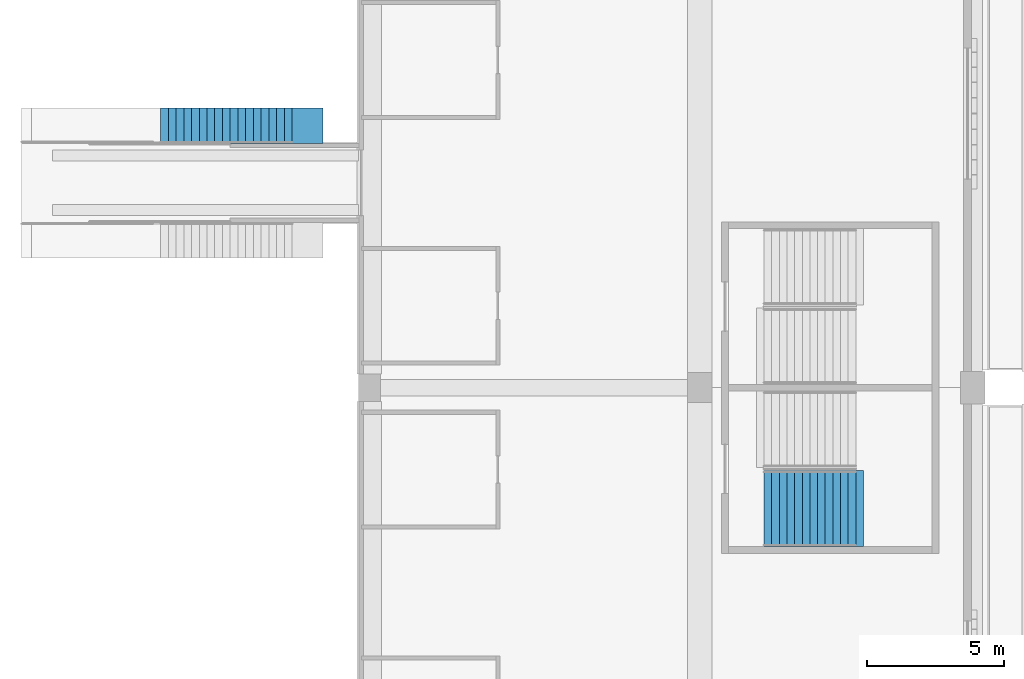
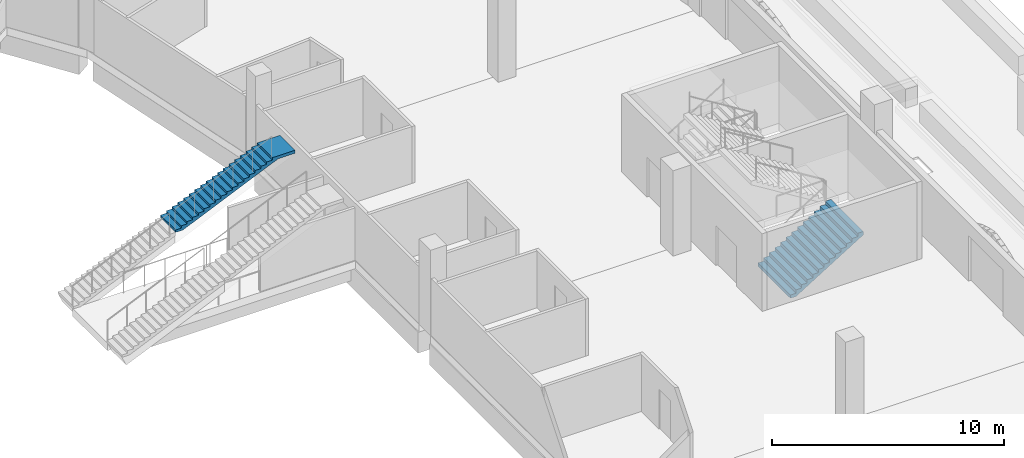
# One storey, part 141 of 175: 2 stair flights, 2 elements without a shape of their own.
"""IFC4 building model written with IfcOpenShell, lengths in metres."""

from ifc_helpers import new_model, si_unit, direction, frame, origin, place, context, subcontext, project, spatial, faceted_brep, material, type_object, element, aggregate, save


model = new_model("IFC4")

# Units and contexts
model_context = context("Model", 3, precision=1e-05, world=origin(), true_north=direction((0.0, 1.0)))
body_context = subcontext(model_context, "Body", "Model", "MODEL_VIEW")
ifc_project = project(units=[si_unit("LENGTHUNIT", "METRE"), si_unit("AREAUNIT", "SQUARE_METRE"), si_unit("VOLUMEUNIT", "CUBIC_METRE"), si_unit("PLANEANGLEUNIT", "RADIAN"), si_unit("MASSUNIT", "GRAM", prefix="KILO")], contexts=[model_context])

# Site, building, storey
site_placement = place(None, origin())
site = spatial("IfcSite", under=ifc_project, at=site_placement, CompositionType="ELEMENT")
building_placement = place(site_placement, origin())
building = spatial("IfcBuilding", under=site, at=building_placement, Name="Ogive Plaza Stadium", CompositionType="ELEMENT")
storey_placement = place(building_placement, origin())
storey = spatial("IfcBuildingStorey", under=building, at=storey_placement, Name="L00", CompositionType="ELEMENT", Elevation=0.0)

# Stair, stair flight
ifc_material_1 = material(Name="Concrete C40/50", Category="concrete")
stair_type_1 = type_object("IfcStairType", Name="Aisle stair", PredefinedType="STRAIGHT_RUN_STAIR", material=ifc_material_1)
stair_1_placement = place(storey_placement, origin())
stair_1 = element("IfcStair", 1, at=stair_1_placement, inside=storey, type_object=stair_type_1, Name="Aisle stair SA01R", PredefinedType="STRAIGHT_RUN_STAIR")
ifc_material_2 = material(Name="Concrete C40/50", Category="concrete")
stair_flight_type_1 = type_object("IfcStairFlightType", Name="Aisle stair flight", PredefinedType="STRAIGHT", material=ifc_material_2)
stair_flight_1_placement = place(storey_placement, frame((54.25, 47.10009765625, 2.25), z_axis=(0.0, 0.0, 1.0), x_axis=(1.0, 0.0, 0.0)))
stair_flight_1 = element("IfcStairFlight", 2, at=stair_flight_1_placement, type_object=stair_flight_type_1, Name="SA01R flight 2", NumberOfRisers=18, NumberOfTreads=17, PredefinedType="STRAIGHT", RiserHeight=0.125, TreadLength=0.283333333, context=body_context, shape_type="Brep", body=[
    faceted_brep([(0.371337890625, -0.64990234375, 0.0), (5.10009765625, -0.64990234375, 2.086181640625), (5.949951171875, -0.64990234375, 2.086181640625), (5.949951171875, -0.64990234375, 2.25), (4.816650390625, -0.64990234375, 2.25), (4.816650390625, -0.64990234375, 2.125), (4.533447265625, -0.64990234375, 2.125), (4.533447265625, -0.64990234375, 2.0), (4.25, -0.64990234375, 2.0), (4.25, -0.64990234375, 1.875), (3.966552734375, -0.64990234375, 1.875), (3.966552734375, -0.64990234375, 1.75), (3.683349609375, -0.64990234375, 1.75), (3.683349609375, -0.64990234375, 1.625), (3.39990234375, -0.64990234375, 1.625), (3.39990234375, -0.64990234375, 1.5), (3.11669921875, -0.64990234375, 1.5), (3.11669921875, -0.64990234375, 1.375), (2.833251953125, -0.64990234375, 1.375), (2.833251953125, -0.64990234375, 1.25), (2.550048828125, -0.64990234375, 1.25), (2.550048828125, -0.64990234375, 1.125), (2.2666015625, -0.64990234375, 1.125), (2.2666015625, -0.64990234375, 1.0), (1.9833984375, -0.64990234375, 1.0), (1.9833984375, -0.64990234375, 0.875), (1.699951171875, -0.64990234375, 0.875), (1.699951171875, -0.64990234375, 0.75), (1.416748046875, -0.64990234375, 0.75), (1.416748046875, -0.64990234375, 0.625), (1.13330078125, -0.64990234375, 0.625), (1.13330078125, -0.64990234375, 0.5), (0.85009765625, -0.64990234375, 0.5), (0.85009765625, -0.64990234375, 0.375), (0.566650390625, -0.64990234375, 0.375), (0.566650390625, -0.64990234375, 0.25), (0.283447265625, -0.64990234375, 0.25), (0.283447265625, -0.64990234375, 0.125), (0.0, -0.64990234375, 0.125), (0.0, -0.64990234375, 0.0), (0.0, 0.64990234375, 0.0), (0.0, 0.64990234375, 0.125), (0.283447265625, 0.64990234375, 0.125), (0.283447265625, 0.64990234375, 0.25), (0.566650390625, 0.64990234375, 0.25), (0.566650390625, 0.64990234375, 0.375), (0.85009765625, 0.64990234375, 0.375), (0.85009765625, 0.64990234375, 0.5), (1.13330078125, 0.64990234375, 0.5), (1.13330078125, 0.64990234375, 0.625), (1.416748046875, 0.64990234375, 0.625), (1.416748046875, 0.64990234375, 0.75), (1.699951171875, 0.64990234375, 0.75), (1.699951171875, 0.64990234375, 0.875), (1.9833984375, 0.64990234375, 0.875), (1.9833984375, 0.64990234375, 1.0), (2.2666015625, 0.64990234375, 1.0), (2.2666015625, 0.64990234375, 1.125), (2.550048828125, 0.64990234375, 1.125), (2.550048828125, 0.64990234375, 1.25), (2.833251953125, 0.64990234375, 1.25), (2.833251953125, 0.64990234375, 1.375), (3.11669921875, 0.64990234375, 1.375), (3.11669921875, 0.64990234375, 1.5), (3.39990234375, 0.64990234375, 1.5), (3.39990234375, 0.64990234375, 1.625), (3.683349609375, 0.64990234375, 1.625), (3.683349609375, 0.64990234375, 1.75), (3.966552734375, 0.64990234375, 1.75), (3.966552734375, 0.64990234375, 1.875), (4.25, 0.64990234375, 1.875), (4.25, 0.64990234375, 2.0), (4.533447265625, 0.64990234375, 2.0), (4.533447265625, 0.64990234375, 2.125), (4.816650390625, 0.64990234375, 2.125), (4.816650390625, 0.64990234375, 2.25), (5.949951171875, 0.64990234375, 2.25), (5.949951171875, 0.64990234375, 2.086181640625), (5.10009765625, 0.64990234375, 2.086181640625), (0.371337890625, 0.64990234375, 0.0), (0.371337890625, -0.324951171875, 0.0), (5.10009765625, -0.324951171875, 2.086181640625), (0.371337890625, 0.0, 0.0), (5.10009765625, 0.0, 2.086181640625), (0.371337890625, 0.324951171875, 0.0), (5.10009765625, 0.324951171875, 2.086181640625), (5.949951171875, -0.324951171875, 2.086181640625), (5.949951171875, 0.0, 2.086181640625), (5.949951171875, 0.324951171875, 2.086181640625), (5.949951171875, -0.324951171875, 2.25), (5.949951171875, 0.0, 2.25), (5.949951171875, 0.324951171875, 2.25), (4.816650390625, -0.324951171875, 2.25), (4.816650390625, 0.0, 2.25), (4.816650390625, 0.324951171875, 2.25), (4.816650390625, -0.324951171875, 2.125), (4.816650390625, 0.0, 2.125), (4.816650390625, 0.324951171875, 2.125), (4.533447265625, -0.324951171875, 2.125), (4.533447265625, 0.0, 2.125), (4.533447265625, 0.324951171875, 2.125), (4.533447265625, -0.324951171875, 2.0), (4.533447265625, 0.0, 2.0), (4.533447265625, 0.324951171875, 2.0), (4.25, -0.324951171875, 2.0), (4.25, 0.0, 2.0), (4.25, 0.324951171875, 2.0), (4.25, -0.324951171875, 1.875), (4.25, 0.0, 1.875), (4.25, 0.324951171875, 1.875), (3.966552734375, -0.324951171875, 1.875), (3.966552734375, 0.0, 1.875), (3.966552734375, 0.324951171875, 1.875), (3.966552734375, -0.324951171875, 1.75), (3.966552734375, 0.0, 1.75), (3.966552734375, 0.324951171875, 1.75), (3.683349609375, -0.324951171875, 1.75), (3.683349609375, 0.0, 1.75), (3.683349609375, 0.324951171875, 1.75), (3.683349609375, -0.324951171875, 1.625), (3.683349609375, 0.0, 1.625), (3.683349609375, 0.324951171875, 1.625), (3.39990234375, -0.324951171875, 1.625), (3.39990234375, 0.0, 1.625), (3.39990234375, 0.324951171875, 1.625), (3.39990234375, -0.324951171875, 1.5), (3.39990234375, 0.0, 1.5), (3.39990234375, 0.324951171875, 1.5), (3.11669921875, -0.324951171875, 1.5), (3.11669921875, 0.0, 1.5), (3.11669921875, 0.324951171875, 1.5), (3.11669921875, -0.324951171875, 1.375), (3.11669921875, 0.0, 1.375), (3.11669921875, 0.324951171875, 1.375), (2.833251953125, -0.324951171875, 1.375), (2.833251953125, 0.0, 1.375), (2.833251953125, 0.324951171875, 1.375), (2.833251953125, -0.324951171875, 1.25), (2.833251953125, 0.0, 1.25), (2.833251953125, 0.324951171875, 1.25), (2.550048828125, -0.324951171875, 1.25), (2.550048828125, 0.0, 1.25), (2.550048828125, 0.324951171875, 1.25), (2.550048828125, -0.324951171875, 1.125), (2.550048828125, 0.0, 1.125), (2.550048828125, 0.324951171875, 1.125), (2.2666015625, -0.324951171875, 1.125), (2.2666015625, 0.0, 1.125), (2.2666015625, 0.324951171875, 1.125), (2.2666015625, -0.324951171875, 1.0), (2.2666015625, 0.0, 1.0), (2.2666015625, 0.324951171875, 1.0), (1.9833984375, -0.324951171875, 1.0), (1.9833984375, 0.0, 1.0), (1.9833984375, 0.324951171875, 1.0), (1.9833984375, -0.324951171875, 0.875), (1.9833984375, 0.0, 0.875), (1.9833984375, 0.324951171875, 0.875), (1.699951171875, -0.324951171875, 0.875), (1.699951171875, 0.0, 0.875), (1.699951171875, 0.324951171875, 0.875), (1.699951171875, -0.324951171875, 0.75), (1.699951171875, 0.0, 0.75), (1.699951171875, 0.324951171875, 0.75), (1.416748046875, -0.324951171875, 0.75), (1.416748046875, 0.0, 0.75), (1.416748046875, 0.324951171875, 0.75), (1.416748046875, -0.324951171875, 0.625), (1.416748046875, 0.0, 0.625), (1.416748046875, 0.324951171875, 0.625), (1.13330078125, -0.324951171875, 0.625), (1.13330078125, 0.0, 0.625), (1.13330078125, 0.324951171875, 0.625), (1.13330078125, -0.324951171875, 0.5), (1.13330078125, 0.0, 0.5), (1.13330078125, 0.324951171875, 0.5), (0.85009765625, -0.324951171875, 0.5), (0.85009765625, 0.0, 0.5), (0.85009765625, 0.324951171875, 0.5), (0.85009765625, -0.324951171875, 0.375), (0.85009765625, 0.0, 0.375), (0.85009765625, 0.324951171875, 0.375), (0.566650390625, -0.324951171875, 0.375), (0.566650390625, 0.0, 0.375), (0.566650390625, 0.324951171875, 0.375), (0.566650390625, -0.324951171875, 0.25), (0.566650390625, 0.0, 0.25), (0.566650390625, 0.324951171875, 0.25), (0.283447265625, -0.324951171875, 0.25), (0.283447265625, 0.0, 0.25), (0.283447265625, 0.324951171875, 0.25), (0.283447265625, -0.324951171875, 0.125), (0.283447265625, 0.0, 0.125), (0.283447265625, 0.324951171875, 0.125), (0.0, -0.324951171875, 0.125), (0.0, 0.0, 0.125), (0.0, 0.324951171875, 0.125), (0.0, -0.324951171875, 0.0), (0.0, 0.0, 0.0), (0.0, 0.324951171875, 0.0)], [[[0, 1, 2, 3, 4, 5, 6, 7, 8, 9, 10, 11, 12, 13, 14, 15, 16, 17, 18, 19, 20, 21, 22, 23, 24, 25, 26, 27, 28, 29, 30, 31, 32, 33, 34, 35, 36, 37, 38, 39]], [[40, 41, 42, 43, 44, 45, 46, 47, 48, 49, 50, 51, 52, 53, 54, 55, 56, 57, 58, 59, 60, 61, 62, 63, 64, 65, 66, 67, 68, 69, 70, 71, 72, 73, 74, 75, 76, 77, 78, 79]], [[0, 80, 81, 1]], [[80, 82, 83, 81]], [[82, 84, 85, 83]], [[84, 79, 78, 85]], [[1, 81, 86, 2]], [[81, 83, 87, 86]], [[83, 85, 88, 87]], [[85, 78, 77, 88]], [[2, 86, 89, 3]], [[86, 87, 90, 89]], [[87, 88, 91, 90]], [[88, 77, 76, 91]], [[3, 89, 92, 4]], [[89, 90, 93, 92]], [[90, 91, 94, 93]], [[91, 76, 75, 94]], [[4, 92, 95, 5]], [[92, 93, 96, 95]], [[93, 94, 97, 96]], [[94, 75, 74, 97]], [[5, 95, 98, 6]], [[95, 96, 99, 98]], [[96, 97, 100, 99]], [[97, 74, 73, 100]], [[6, 98, 101, 7]], [[98, 99, 102, 101]], [[99, 100, 103, 102]], [[100, 73, 72, 103]], [[7, 101, 104, 8]], [[101, 102, 105, 104]], [[102, 103, 106, 105]], [[103, 72, 71, 106]], [[8, 104, 107, 9]], [[104, 105, 108, 107]], [[105, 106, 109, 108]], [[106, 71, 70, 109]], [[9, 107, 110, 10]], [[107, 108, 111, 110]], [[108, 109, 112, 111]], [[109, 70, 69, 112]], [[10, 110, 113, 11]], [[110, 111, 114, 113]], [[111, 112, 115, 114]], [[112, 69, 68, 115]], [[11, 113, 116, 12]], [[113, 114, 117, 116]], [[114, 115, 118, 117]], [[115, 68, 67, 118]], [[12, 116, 119, 13]], [[116, 117, 120, 119]], [[117, 118, 121, 120]], [[118, 67, 66, 121]], [[13, 119, 122, 14]], [[119, 120, 123, 122]], [[120, 121, 124, 123]], [[121, 66, 65, 124]], [[14, 122, 125, 15]], [[122, 123, 126, 125]], [[123, 124, 127, 126]], [[124, 65, 64, 127]], [[15, 125, 128, 16]], [[125, 126, 129, 128]], [[126, 127, 130, 129]], [[127, 64, 63, 130]], [[16, 128, 131, 17]], [[128, 129, 132, 131]], [[129, 130, 133, 132]], [[130, 63, 62, 133]], [[17, 131, 134, 18]], [[131, 132, 135, 134]], [[132, 133, 136, 135]], [[133, 62, 61, 136]], [[18, 134, 137, 19]], [[134, 135, 138, 137]], [[135, 136, 139, 138]], [[136, 61, 60, 139]], [[19, 137, 140, 20]], [[137, 138, 141, 140]], [[138, 139, 142, 141]], [[139, 60, 59, 142]], [[20, 140, 143, 21]], [[140, 141, 144, 143]], [[141, 142, 145, 144]], [[142, 59, 58, 145]], [[21, 143, 146, 22]], [[143, 144, 147, 146]], [[144, 145, 148, 147]], [[145, 58, 57, 148]], [[22, 146, 149, 23]], [[146, 147, 150, 149]], [[147, 148, 151, 150]], [[148, 57, 56, 151]], [[23, 149, 152, 24]], [[149, 150, 153, 152]], [[150, 151, 154, 153]], [[151, 56, 55, 154]], [[24, 152, 155, 25]], [[152, 153, 156, 155]], [[153, 154, 157, 156]], [[154, 55, 54, 157]], [[25, 155, 158, 26]], [[155, 156, 159, 158]], [[156, 157, 160, 159]], [[157, 54, 53, 160]], [[26, 158, 161, 27]], [[158, 159, 162, 161]], [[159, 160, 163, 162]], [[160, 53, 52, 163]], [[27, 161, 164, 28]], [[161, 162, 165, 164]], [[162, 163, 166, 165]], [[163, 52, 51, 166]], [[28, 164, 167, 29]], [[164, 165, 168, 167]], [[165, 166, 169, 168]], [[166, 51, 50, 169]], [[29, 167, 170, 30]], [[167, 168, 171, 170]], [[168, 169, 172, 171]], [[169, 50, 49, 172]], [[30, 170, 173, 31]], [[170, 171, 174, 173]], [[171, 172, 175, 174]], [[172, 49, 48, 175]], [[31, 173, 176, 32]], [[173, 174, 177, 176]], [[174, 175, 178, 177]], [[175, 48, 47, 178]], [[32, 176, 179, 33]], [[176, 177, 180, 179]], [[177, 178, 181, 180]], [[178, 47, 46, 181]], [[33, 179, 182, 34]], [[179, 180, 183, 182]], [[180, 181, 184, 183]], [[181, 46, 45, 184]], [[34, 182, 185, 35]], [[182, 183, 186, 185]], [[183, 184, 187, 186]], [[184, 45, 44, 187]], [[35, 185, 188, 36]], [[185, 186, 189, 188]], [[186, 187, 190, 189]], [[187, 44, 43, 190]], [[36, 188, 191, 37]], [[188, 189, 192, 191]], [[189, 190, 193, 192]], [[190, 43, 42, 193]], [[37, 191, 194, 38]], [[191, 192, 195, 194]], [[192, 193, 196, 195]], [[193, 42, 41, 196]], [[38, 194, 197, 39]], [[194, 195, 198, 197]], [[195, 196, 199, 198]], [[196, 41, 40, 199]], [[39, 197, 80, 0]], [[197, 198, 82, 80]], [[198, 199, 84, 82]], [[199, 40, 79, 84]]]),
])
aggregate(stair_1, [stair_flight_1])

ifc_material_3 = material(Name="Concrete C40/50", Category="concrete")
stair_type_2 = type_object("IfcStairType", Name="Exit stair", PredefinedType="STRAIGHT_RUN_STAIR", material=ifc_material_3)
stair_2_placement = place(storey_placement, origin())
stair_2 = element("IfcStair", 3, at=stair_2_placement, inside=storey, type_object=stair_type_2, Name="Exit stair ST02A L00 to L01", PredefinedType="STRAIGHT_RUN_STAIR")
ifc_material_4 = material(Name="Concrete C40/50", Category="concrete")
stair_flight_type_2 = type_object("IfcStairFlightType", Name="Exit stair flight", PredefinedType="STRAIGHT", material=ifc_material_4)
stair_flight_2_placement = place(storey_placement, frame((76.35009765625, 33.074951171875, 0.0), z_axis=(0.0, 0.0, 1.0), x_axis=(1.0, 0.0, 0.0)))
stair_flight_2 = element("IfcStairFlight", 4, at=stair_flight_2_placement, type_object=stair_flight_type_2, Name="ST02A flight 1", NumberOfRisers=13, NumberOfTreads=12, PredefinedType="STRAIGHT", RiserHeight=0.173076923, TreadLength=0.28, context=body_context, shape_type="Brep", body=[
    faceted_brep([(0.28515625, -1.39990234375, 0.0), (3.639892578125, -1.39990234375, 2.07373046875), (3.639892578125, -1.39990234375, 2.25), (3.360107421875, -1.39990234375, 2.25), (3.360107421875, -1.39990234375, 2.076904296875), (3.080078125, -1.39990234375, 2.076904296875), (3.080078125, -1.39990234375, 1.90380859375), (2.800048828125, -1.39990234375, 1.90380859375), (2.800048828125, -1.39990234375, 1.730712890625), (2.52001953125, -1.39990234375, 1.730712890625), (2.52001953125, -1.39990234375, 1.5576171875), (2.239990234375, -1.39990234375, 1.5576171875), (2.239990234375, -1.39990234375, 1.384521484375), (1.9599609375, -1.39990234375, 1.384521484375), (1.9599609375, -1.39990234375, 1.21142578125), (1.679931640625, -1.39990234375, 1.21142578125), (1.679931640625, -1.39990234375, 1.03857421875), (1.39990234375, -1.39990234375, 1.03857421875), (1.39990234375, -1.39990234375, 0.865478515625), (1.1201171875, -1.39990234375, 0.865478515625), (1.1201171875, -1.39990234375, 0.6923828125), (0.840087890625, -1.39990234375, 0.6923828125), (0.840087890625, -1.39990234375, 0.519287109375), (0.56005859375, -1.39990234375, 0.519287109375), (0.56005859375, -1.39990234375, 0.34619140625), (0.280029296875, -1.39990234375, 0.34619140625), (0.280029296875, -1.39990234375, 0.173095703125), (0.0, -1.39990234375, 0.173095703125), (0.0, -1.39990234375, 0.0), (0.0, 1.39990234375, 0.0), (0.0, 1.39990234375, 0.173095703125), (0.280029296875, 1.39990234375, 0.173095703125), (0.280029296875, 1.39990234375, 0.34619140625), (0.56005859375, 1.39990234375, 0.34619140625), (0.56005859375, 1.39990234375, 0.519287109375), (0.840087890625, 1.39990234375, 0.519287109375), (0.840087890625, 1.39990234375, 0.6923828125), (1.1201171875, 1.39990234375, 0.6923828125), (1.1201171875, 1.39990234375, 0.865478515625), (1.39990234375, 1.39990234375, 0.865478515625), (1.39990234375, 1.39990234375, 1.03857421875), (1.679931640625, 1.39990234375, 1.03857421875), (1.679931640625, 1.39990234375, 1.21142578125), (1.9599609375, 1.39990234375, 1.21142578125), (1.9599609375, 1.39990234375, 1.384521484375), (2.239990234375, 1.39990234375, 1.384521484375), (2.239990234375, 1.39990234375, 1.5576171875), (2.52001953125, 1.39990234375, 1.5576171875), (2.52001953125, 1.39990234375, 1.730712890625), (2.800048828125, 1.39990234375, 1.730712890625), (2.800048828125, 1.39990234375, 1.90380859375), (3.080078125, 1.39990234375, 1.90380859375), (3.080078125, 1.39990234375, 2.076904296875), (3.360107421875, 1.39990234375, 2.076904296875), (3.360107421875, 1.39990234375, 2.25), (3.639892578125, 1.39990234375, 2.25), (3.639892578125, 1.39990234375, 2.07373046875), (0.28515625, 1.39990234375, 0.0), (0.28515625, -1.0888671875, 0.0), (3.639892578125, -1.0888671875, 2.07373046875), (0.28515625, -0.77783203125, 0.0), (3.639892578125, -0.77783203125, 2.07373046875), (0.28515625, -0.466796875, 0.0), (3.639892578125, -0.466796875, 2.07373046875), (0.28515625, -0.155517578125, 0.0), (3.639892578125, -0.155517578125, 2.07373046875), (0.28515625, 0.155517578125, 0.0), (3.639892578125, 0.155517578125, 2.07373046875), (0.28515625, 0.466796875, 0.0), (3.639892578125, 0.466796875, 2.07373046875), (0.28515625, 0.77783203125, 0.0), (3.639892578125, 0.77783203125, 2.07373046875), (0.28515625, 1.0888671875, 0.0), (3.639892578125, 1.0888671875, 2.07373046875), (3.639892578125, -1.0888671875, 2.25), (3.639892578125, -0.77783203125, 2.25), (3.639892578125, -0.466796875, 2.25), (3.639892578125, -0.155517578125, 2.25), (3.639892578125, 0.155517578125, 2.25), (3.639892578125, 0.466796875, 2.25), (3.639892578125, 0.77783203125, 2.25), (3.639892578125, 1.0888671875, 2.25), (3.360107421875, -1.0888671875, 2.25), (3.360107421875, -0.77783203125, 2.25), (3.360107421875, -0.466796875, 2.25), (3.360107421875, -0.155517578125, 2.25), (3.360107421875, 0.155517578125, 2.25), (3.360107421875, 0.466796875, 2.25), (3.360107421875, 0.77783203125, 2.25), (3.360107421875, 1.0888671875, 2.25), (3.360107421875, -1.0888671875, 2.076904296875), (3.360107421875, -0.77783203125, 2.076904296875), (3.360107421875, -0.466796875, 2.076904296875), (3.360107421875, -0.155517578125, 2.076904296875), (3.360107421875, 0.155517578125, 2.076904296875), (3.360107421875, 0.466796875, 2.076904296875), (3.360107421875, 0.77783203125, 2.076904296875), (3.360107421875, 1.0888671875, 2.076904296875), (3.080078125, -1.0888671875, 2.076904296875), (3.080078125, -0.77783203125, 2.076904296875), (3.080078125, -0.466796875, 2.076904296875), (3.080078125, -0.155517578125, 2.076904296875), (3.080078125, 0.155517578125, 2.076904296875), (3.080078125, 0.466796875, 2.076904296875), (3.080078125, 0.77783203125, 2.076904296875), (3.080078125, 1.0888671875, 2.076904296875), (3.080078125, -1.0888671875, 1.90380859375), (3.080078125, -0.77783203125, 1.90380859375), (3.080078125, -0.466796875, 1.90380859375), (3.080078125, -0.155517578125, 1.90380859375), (3.080078125, 0.155517578125, 1.90380859375), (3.080078125, 0.466796875, 1.90380859375), (3.080078125, 0.77783203125, 1.90380859375), (3.080078125, 1.0888671875, 1.90380859375), (2.800048828125, -1.0888671875, 1.90380859375), (2.800048828125, -0.77783203125, 1.90380859375), (2.800048828125, -0.466796875, 1.90380859375), (2.800048828125, -0.155517578125, 1.90380859375), (2.800048828125, 0.155517578125, 1.90380859375), (2.800048828125, 0.466796875, 1.90380859375), (2.800048828125, 0.77783203125, 1.90380859375), (2.800048828125, 1.0888671875, 1.90380859375), (2.800048828125, -1.0888671875, 1.730712890625), (2.800048828125, -0.77783203125, 1.730712890625), (2.800048828125, -0.466796875, 1.730712890625), (2.800048828125, -0.155517578125, 1.730712890625), (2.800048828125, 0.155517578125, 1.730712890625), (2.800048828125, 0.466796875, 1.730712890625), (2.800048828125, 0.77783203125, 1.730712890625), (2.800048828125, 1.0888671875, 1.730712890625), (2.52001953125, -1.0888671875, 1.730712890625), (2.52001953125, -0.77783203125, 1.730712890625), (2.52001953125, -0.466796875, 1.730712890625), (2.52001953125, -0.155517578125, 1.730712890625), (2.52001953125, 0.155517578125, 1.730712890625), (2.52001953125, 0.466796875, 1.730712890625), (2.52001953125, 0.77783203125, 1.730712890625), (2.52001953125, 1.0888671875, 1.730712890625), (2.52001953125, -1.0888671875, 1.5576171875), (2.52001953125, -0.77783203125, 1.5576171875), (2.52001953125, -0.466796875, 1.5576171875), (2.52001953125, -0.155517578125, 1.5576171875), (2.52001953125, 0.155517578125, 1.5576171875), (2.52001953125, 0.466796875, 1.5576171875), (2.52001953125, 0.77783203125, 1.5576171875), (2.52001953125, 1.0888671875, 1.5576171875), (2.239990234375, -1.0888671875, 1.5576171875), (2.239990234375, -0.77783203125, 1.5576171875), (2.239990234375, -0.466796875, 1.5576171875), (2.239990234375, -0.155517578125, 1.5576171875), (2.239990234375, 0.155517578125, 1.5576171875), (2.239990234375, 0.466796875, 1.5576171875), (2.239990234375, 0.77783203125, 1.5576171875), (2.239990234375, 1.0888671875, 1.5576171875), (2.239990234375, -1.0888671875, 1.384521484375), (2.239990234375, -0.77783203125, 1.384521484375), (2.239990234375, -0.466796875, 1.384521484375), (2.239990234375, -0.155517578125, 1.384521484375), (2.239990234375, 0.155517578125, 1.384521484375), (2.239990234375, 0.466796875, 1.384521484375), (2.239990234375, 0.77783203125, 1.384521484375), (2.239990234375, 1.0888671875, 1.384521484375), (1.9599609375, -1.0888671875, 1.384521484375), (1.9599609375, -0.77783203125, 1.384521484375), (1.9599609375, -0.466796875, 1.384521484375), (1.9599609375, -0.155517578125, 1.384521484375), (1.9599609375, 0.155517578125, 1.384521484375), (1.9599609375, 0.466796875, 1.384521484375), (1.9599609375, 0.77783203125, 1.384521484375), (1.9599609375, 1.0888671875, 1.384521484375), (1.9599609375, -1.0888671875, 1.21142578125), (1.9599609375, -0.77783203125, 1.21142578125), (1.9599609375, -0.466796875, 1.21142578125), (1.9599609375, -0.155517578125, 1.21142578125), (1.9599609375, 0.155517578125, 1.21142578125), (1.9599609375, 0.466796875, 1.21142578125), (1.9599609375, 0.77783203125, 1.21142578125), (1.9599609375, 1.0888671875, 1.21142578125), (1.679931640625, -1.0888671875, 1.21142578125), (1.679931640625, -0.77783203125, 1.21142578125), (1.679931640625, -0.466796875, 1.21142578125), (1.679931640625, -0.155517578125, 1.21142578125), (1.679931640625, 0.155517578125, 1.21142578125), (1.679931640625, 0.466796875, 1.21142578125), (1.679931640625, 0.77783203125, 1.21142578125), (1.679931640625, 1.0888671875, 1.21142578125), (1.679931640625, -1.0888671875, 1.03857421875), (1.679931640625, -0.77783203125, 1.03857421875), (1.679931640625, -0.466796875, 1.03857421875), (1.679931640625, -0.155517578125, 1.03857421875), (1.679931640625, 0.155517578125, 1.03857421875), (1.679931640625, 0.466796875, 1.03857421875), (1.679931640625, 0.77783203125, 1.03857421875), (1.679931640625, 1.0888671875, 1.03857421875), (1.39990234375, -1.0888671875, 1.03857421875), (1.39990234375, -0.77783203125, 1.03857421875), (1.39990234375, -0.466796875, 1.03857421875), (1.39990234375, -0.155517578125, 1.03857421875), (1.39990234375, 0.155517578125, 1.03857421875), (1.39990234375, 0.466796875, 1.03857421875), (1.39990234375, 0.77783203125, 1.03857421875), (1.39990234375, 1.0888671875, 1.03857421875), (1.39990234375, -1.0888671875, 0.865478515625), (1.39990234375, -0.77783203125, 0.865478515625), (1.39990234375, -0.466796875, 0.865478515625), (1.39990234375, -0.155517578125, 0.865478515625), (1.39990234375, 0.155517578125, 0.865478515625), (1.39990234375, 0.466796875, 0.865478515625), (1.39990234375, 0.77783203125, 0.865478515625), (1.39990234375, 1.0888671875, 0.865478515625), (1.1201171875, -1.0888671875, 0.865478515625), (1.1201171875, -0.77783203125, 0.865478515625), (1.1201171875, -0.466796875, 0.865478515625), (1.1201171875, -0.155517578125, 0.865478515625), (1.1201171875, 0.155517578125, 0.865478515625), (1.1201171875, 0.466796875, 0.865478515625), (1.1201171875, 0.77783203125, 0.865478515625), (1.1201171875, 1.0888671875, 0.865478515625), (1.1201171875, -1.0888671875, 0.6923828125), (1.1201171875, -0.77783203125, 0.6923828125), (1.1201171875, -0.466796875, 0.6923828125), (1.1201171875, -0.155517578125, 0.6923828125), (1.1201171875, 0.155517578125, 0.6923828125), (1.1201171875, 0.466796875, 0.6923828125), (1.1201171875, 0.77783203125, 0.6923828125), (1.1201171875, 1.0888671875, 0.6923828125), (0.840087890625, -1.0888671875, 0.6923828125), (0.840087890625, -0.77783203125, 0.6923828125), (0.840087890625, -0.466796875, 0.6923828125), (0.840087890625, -0.155517578125, 0.6923828125), (0.840087890625, 0.155517578125, 0.6923828125), (0.840087890625, 0.466796875, 0.6923828125), (0.840087890625, 0.77783203125, 0.6923828125), (0.840087890625, 1.0888671875, 0.6923828125), (0.840087890625, -1.0888671875, 0.519287109375), (0.840087890625, -0.77783203125, 0.519287109375), (0.840087890625, -0.466796875, 0.519287109375), (0.840087890625, -0.155517578125, 0.519287109375), (0.840087890625, 0.155517578125, 0.519287109375), (0.840087890625, 0.466796875, 0.519287109375), (0.840087890625, 0.77783203125, 0.519287109375), (0.840087890625, 1.0888671875, 0.519287109375), (0.56005859375, -1.0888671875, 0.519287109375), (0.56005859375, -0.77783203125, 0.519287109375), (0.56005859375, -0.466796875, 0.519287109375), (0.56005859375, -0.155517578125, 0.519287109375), (0.56005859375, 0.155517578125, 0.519287109375), (0.56005859375, 0.466796875, 0.519287109375), (0.56005859375, 0.77783203125, 0.519287109375), (0.56005859375, 1.0888671875, 0.519287109375), (0.56005859375, -1.0888671875, 0.34619140625), (0.56005859375, -0.77783203125, 0.34619140625), (0.56005859375, -0.466796875, 0.34619140625), (0.56005859375, -0.155517578125, 0.34619140625), (0.56005859375, 0.155517578125, 0.34619140625), (0.56005859375, 0.466796875, 0.34619140625), (0.56005859375, 0.77783203125, 0.34619140625), (0.56005859375, 1.0888671875, 0.34619140625), (0.280029296875, -1.0888671875, 0.34619140625), (0.280029296875, -0.77783203125, 0.34619140625), (0.280029296875, -0.466796875, 0.34619140625), (0.280029296875, -0.155517578125, 0.34619140625), (0.280029296875, 0.155517578125, 0.34619140625), (0.280029296875, 0.466796875, 0.34619140625), (0.280029296875, 0.77783203125, 0.34619140625), (0.280029296875, 1.0888671875, 0.34619140625), (0.280029296875, -1.0888671875, 0.173095703125), (0.280029296875, -0.77783203125, 0.173095703125), (0.280029296875, -0.466796875, 0.173095703125), (0.280029296875, -0.155517578125, 0.173095703125), (0.280029296875, 0.155517578125, 0.173095703125), (0.280029296875, 0.466796875, 0.173095703125), (0.280029296875, 0.77783203125, 0.173095703125), (0.280029296875, 1.0888671875, 0.173095703125), (0.0, -1.0888671875, 0.173095703125), (0.0, -0.77783203125, 0.173095703125), (0.0, -0.466796875, 0.173095703125), (0.0, -0.155517578125, 0.173095703125), (0.0, 0.155517578125, 0.173095703125), (0.0, 0.466796875, 0.173095703125), (0.0, 0.77783203125, 0.173095703125), (0.0, 1.0888671875, 0.173095703125), (0.0, -1.0888671875, 0.0), (0.0, -0.77783203125, 0.0), (0.0, -0.466796875, 0.0), (0.0, -0.155517578125, 0.0), (0.0, 0.155517578125, 0.0), (0.0, 0.466796875, 0.0), (0.0, 0.77783203125, 0.0), (0.0, 1.0888671875, 0.0)], [[[0, 1, 2, 3, 4, 5, 6, 7, 8, 9, 10, 11, 12, 13, 14, 15, 16, 17, 18, 19, 20, 21, 22, 23, 24, 25, 26, 27, 28]], [[29, 30, 31, 32, 33, 34, 35, 36, 37, 38, 39, 40, 41, 42, 43, 44, 45, 46, 47, 48, 49, 50, 51, 52, 53, 54, 55, 56, 57]], [[0, 58, 59, 1]], [[58, 60, 61, 59]], [[60, 62, 63, 61]], [[62, 64, 65, 63]], [[64, 66, 67, 65]], [[66, 68, 69, 67]], [[68, 70, 71, 69]], [[70, 72, 73, 71]], [[72, 57, 56, 73]], [[1, 59, 74, 2]], [[59, 61, 75, 74]], [[61, 63, 76, 75]], [[63, 65, 77, 76]], [[65, 67, 78, 77]], [[67, 69, 79, 78]], [[69, 71, 80, 79]], [[71, 73, 81, 80]], [[73, 56, 55, 81]], [[2, 74, 82, 3]], [[74, 75, 83, 82]], [[75, 76, 84, 83]], [[76, 77, 85, 84]], [[77, 78, 86, 85]], [[78, 79, 87, 86]], [[79, 80, 88, 87]], [[80, 81, 89, 88]], [[81, 55, 54, 89]], [[3, 82, 90, 4]], [[82, 83, 91, 90]], [[83, 84, 92, 91]], [[84, 85, 93, 92]], [[85, 86, 94, 93]], [[86, 87, 95, 94]], [[87, 88, 96, 95]], [[88, 89, 97, 96]], [[89, 54, 53, 97]], [[4, 90, 98, 5]], [[90, 91, 99, 98]], [[91, 92, 100, 99]], [[92, 93, 101, 100]], [[93, 94, 102, 101]], [[94, 95, 103, 102]], [[95, 96, 104, 103]], [[96, 97, 105, 104]], [[97, 53, 52, 105]], [[5, 98, 106, 6]], [[98, 99, 107, 106]], [[99, 100, 108, 107]], [[100, 101, 109, 108]], [[101, 102, 110, 109]], [[102, 103, 111, 110]], [[103, 104, 112, 111]], [[104, 105, 113, 112]], [[105, 52, 51, 113]], [[6, 106, 114, 7]], [[106, 107, 115, 114]], [[107, 108, 116, 115]], [[108, 109, 117, 116]], [[109, 110, 118, 117]], [[110, 111, 119, 118]], [[111, 112, 120, 119]], [[112, 113, 121, 120]], [[113, 51, 50, 121]], [[7, 114, 122, 8]], [[114, 115, 123, 122]], [[115, 116, 124, 123]], [[116, 117, 125, 124]], [[117, 118, 126, 125]], [[118, 119, 127, 126]], [[119, 120, 128, 127]], [[120, 121, 129, 128]], [[121, 50, 49, 129]], [[8, 122, 130, 9]], [[122, 123, 131, 130]], [[123, 124, 132, 131]], [[124, 125, 133, 132]], [[125, 126, 134, 133]], [[126, 127, 135, 134]], [[127, 128, 136, 135]], [[128, 129, 137, 136]], [[129, 49, 48, 137]], [[9, 130, 138, 10]], [[130, 131, 139, 138]], [[131, 132, 140, 139]], [[132, 133, 141, 140]], [[133, 134, 142, 141]], [[134, 135, 143, 142]], [[135, 136, 144, 143]], [[136, 137, 145, 144]], [[137, 48, 47, 145]], [[10, 138, 146, 11]], [[138, 139, 147, 146]], [[139, 140, 148, 147]], [[140, 141, 149, 148]], [[141, 142, 150, 149]], [[142, 143, 151, 150]], [[143, 144, 152, 151]], [[144, 145, 153, 152]], [[145, 47, 46, 153]], [[11, 146, 154, 12]], [[146, 147, 155, 154]], [[147, 148, 156, 155]], [[148, 149, 157, 156]], [[149, 150, 158, 157]], [[150, 151, 159, 158]], [[151, 152, 160, 159]], [[152, 153, 161, 160]], [[153, 46, 45, 161]], [[12, 154, 162, 13]], [[154, 155, 163, 162]], [[155, 156, 164, 163]], [[156, 157, 165, 164]], [[157, 158, 166, 165]], [[158, 159, 167, 166]], [[159, 160, 168, 167]], [[160, 161, 169, 168]], [[161, 45, 44, 169]], [[13, 162, 170, 14]], [[162, 163, 171, 170]], [[163, 164, 172, 171]], [[164, 165, 173, 172]], [[165, 166, 174, 173]], [[166, 167, 175, 174]], [[167, 168, 176, 175]], [[168, 169, 177, 176]], [[169, 44, 43, 177]], [[14, 170, 178, 15]], [[170, 171, 179, 178]], [[171, 172, 180, 179]], [[172, 173, 181, 180]], [[173, 174, 182, 181]], [[174, 175, 183, 182]], [[175, 176, 184, 183]], [[176, 177, 185, 184]], [[177, 43, 42, 185]], [[15, 178, 186, 16]], [[178, 179, 187, 186]], [[179, 180, 188, 187]], [[180, 181, 189, 188]], [[181, 182, 190, 189]], [[182, 183, 191, 190]], [[183, 184, 192, 191]], [[184, 185, 193, 192]], [[185, 42, 41, 193]], [[16, 186, 194, 17]], [[186, 187, 195, 194]], [[187, 188, 196, 195]], [[188, 189, 197, 196]], [[189, 190, 198, 197]], [[190, 191, 199, 198]], [[191, 192, 200, 199]], [[192, 193, 201, 200]], [[193, 41, 40, 201]], [[17, 194, 202, 18]], [[194, 195, 203, 202]], [[195, 196, 204, 203]], [[196, 197, 205, 204]], [[197, 198, 206, 205]], [[198, 199, 207, 206]], [[199, 200, 208, 207]], [[200, 201, 209, 208]], [[201, 40, 39, 209]], [[18, 202, 210, 19]], [[202, 203, 211, 210]], [[203, 204, 212, 211]], [[204, 205, 213, 212]], [[205, 206, 214, 213]], [[206, 207, 215, 214]], [[207, 208, 216, 215]], [[208, 209, 217, 216]], [[209, 39, 38, 217]], [[19, 210, 218, 20]], [[210, 211, 219, 218]], [[211, 212, 220, 219]], [[212, 213, 221, 220]], [[213, 214, 222, 221]], [[214, 215, 223, 222]], [[215, 216, 224, 223]], [[216, 217, 225, 224]], [[217, 38, 37, 225]], [[20, 218, 226, 21]], [[218, 219, 227, 226]], [[219, 220, 228, 227]], [[220, 221, 229, 228]], [[221, 222, 230, 229]], [[222, 223, 231, 230]], [[223, 224, 232, 231]], [[224, 225, 233, 232]], [[225, 37, 36, 233]], [[21, 226, 234, 22]], [[226, 227, 235, 234]], [[227, 228, 236, 235]], [[228, 229, 237, 236]], [[229, 230, 238, 237]], [[230, 231, 239, 238]], [[231, 232, 240, 239]], [[232, 233, 241, 240]], [[233, 36, 35, 241]], [[22, 234, 242, 23]], [[234, 235, 243, 242]], [[235, 236, 244, 243]], [[236, 237, 245, 244]], [[237, 238, 246, 245]], [[238, 239, 247, 246]], [[239, 240, 248, 247]], [[240, 241, 249, 248]], [[241, 35, 34, 249]], [[23, 242, 250, 24]], [[242, 243, 251, 250]], [[243, 244, 252, 251]], [[244, 245, 253, 252]], [[245, 246, 254, 253]], [[246, 247, 255, 254]], [[247, 248, 256, 255]], [[248, 249, 257, 256]], [[249, 34, 33, 257]], [[24, 250, 258, 25]], [[250, 251, 259, 258]], [[251, 252, 260, 259]], [[252, 253, 261, 260]], [[253, 254, 262, 261]], [[254, 255, 263, 262]], [[255, 256, 264, 263]], [[256, 257, 265, 264]], [[257, 33, 32, 265]], [[25, 258, 266, 26]], [[258, 259, 267, 266]], [[259, 260, 268, 267]], [[260, 261, 269, 268]], [[261, 262, 270, 269]], [[262, 263, 271, 270]], [[263, 264, 272, 271]], [[264, 265, 273, 272]], [[265, 32, 31, 273]], [[26, 266, 274, 27]], [[266, 267, 275, 274]], [[267, 268, 276, 275]], [[268, 269, 277, 276]], [[269, 270, 278, 277]], [[270, 271, 279, 278]], [[271, 272, 280, 279]], [[272, 273, 281, 280]], [[273, 31, 30, 281]], [[27, 274, 282, 28]], [[274, 275, 283, 282]], [[275, 276, 284, 283]], [[276, 277, 285, 284]], [[277, 278, 286, 285]], [[278, 279, 287, 286]], [[279, 280, 288, 287]], [[280, 281, 289, 288]], [[281, 30, 29, 289]], [[28, 282, 58, 0]], [[282, 283, 60, 58]], [[283, 284, 62, 60]], [[284, 285, 64, 62]], [[285, 286, 66, 64]], [[286, 287, 68, 66]], [[287, 288, 70, 68]], [[288, 289, 72, 70]], [[289, 29, 57, 72]]]),
])
aggregate(stair_2, [stair_flight_2])

save(model, "model.ifc")
